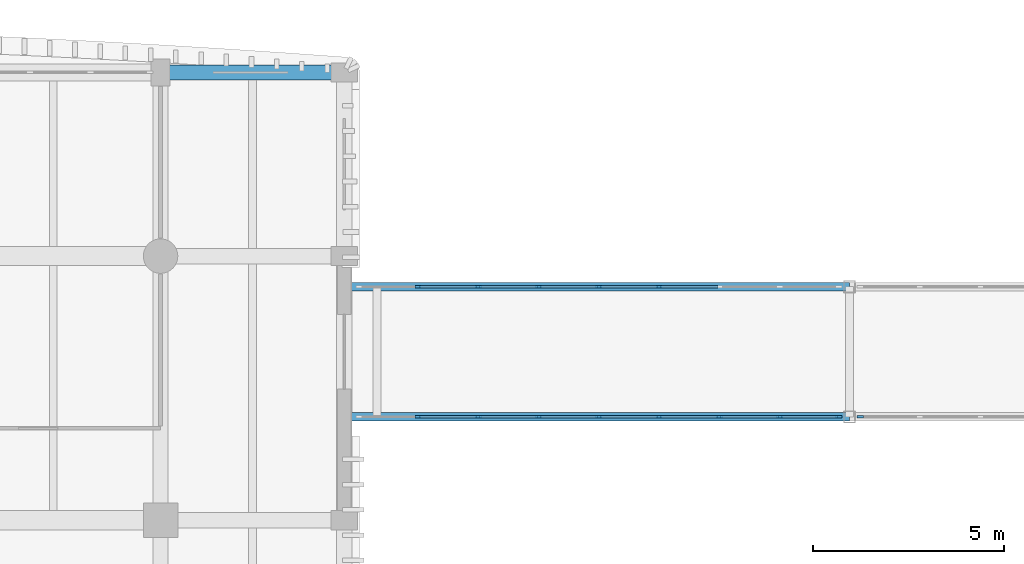
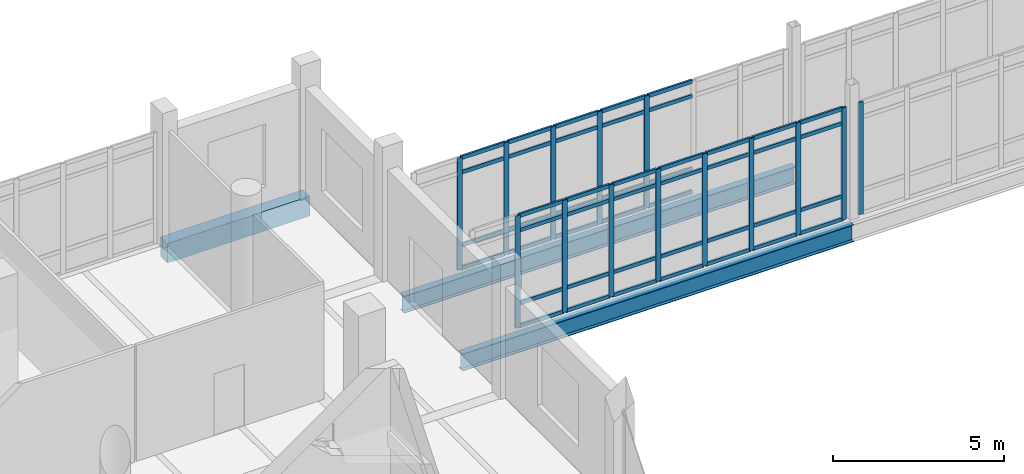
# One storey, part 35 of 125: 62 members, 3 beams, 3 elements without a shape of their own.
"""IFC4 building model written with IfcOpenShell, lengths in metres."""

from ifc_helpers import new_model, si_unit, direction, frame, origin, origin_2d, place, context, subcontext, project, spatial, rectangle, i_section, extrude, material, material_profile, profile_set, type_object, element, aggregate, save


model = new_model("IFC4")

# Units and contexts
model_context = context("Model", 3, precision=1e-05, world=origin(), true_north=direction((0.0, 1.0)))
body_context = subcontext(model_context, "Body", "Model", "MODEL_VIEW")
ifc_project = project(units=[si_unit("LENGTHUNIT", "METRE"), si_unit("AREAUNIT", "SQUARE_METRE"), si_unit("VOLUMEUNIT", "CUBIC_METRE"), si_unit("PLANEANGLEUNIT", "RADIAN"), si_unit("MASSUNIT", "GRAM", prefix="KILO")], contexts=[model_context])

# Site, building, storey
site_placement = place(None, origin())
site = spatial("IfcSite", under=ifc_project, at=site_placement, CompositionType="ELEMENT")
building_placement = place(site_placement, origin())
building = spatial("IfcBuilding", under=site, at=building_placement, Name="Dornvale Research Institute", CompositionType="ELEMENT")
storey_placement = place(building_placement, frame((0.0, 0.0, 5.39990234375)))
storey = spatial("IfcBuildingStorey", under=building, at=storey_placement, Name="L01", CompositionType="ELEMENT", Elevation=5.39990234375)

# Beams
ifc_material_1 = material(Name="Steel ASTM A992 Grade 50", Category="steel")
ifc_material_profile_1 = material_profile(ifc_material_1, i_section(OverallWidth=0.22900390625, OverallDepth=0.612060546875, WebThickness=0.011962890625, FlangeThickness=0.01953125, at=origin_2d()), Name="W24X84")
ifc_profile_set_1 = profile_set([ifc_material_profile_1], Name="Steel ASTM A992 Grade 50")
beam_type_1 = type_object("IfcBeamType", Name="Beam_Steel_W24X84_Bridge", PredefinedType="BEAM", material=ifc_profile_set_1)
for number, where, z_axis, x_axis, name in (
    (1, (46.199951171875, 113.10009765625, -0.52587890625), (1.0, 0.0, 0.0), (0.0, 1.0, 0.0), "L01 BR-5 south girder #2026"),
    (2, (46.199951171875, 116.5, -0.52587890625), (1.0, 0.0, 0.0), (0.0, 1.0, 0.0), "L01 BR-5 north girder #2026"),
):
    element("IfcBeam", number, at=place(storey_placement, frame(where, z_axis=z_axis, x_axis=x_axis)), inside=storey, type_object=beam_type_1, Name=name, PredefinedType="BEAM", context=body_context, shape_type="SweptSolid", body=[
        extrude(i_section(OverallWidth=0.22900390625, OverallDepth=0.612060546875, WebThickness=0.011962890625, FlangeThickness=0.01953125, at=origin_2d()), origin(), (0.0, 0.0, 1.0), 13.199951171875),
    ])

# Curtain wall, members
ifc_material_2 = material(Name="Low-E Argon Double Insulating Glazing Unit", Category="glass")
curtain_wall_type_1 = type_object("IfcCurtainWallType", Name="UnitisedCurtainWall_V2_12600x4000", PredefinedType="USERDEFINED", material=ifc_material_2)
curtain_wall_1_placement = place(storey_placement, origin())
curtain_wall_1 = element("IfcCurtainWall", 3, at=curtain_wall_1_placement, inside=storey, type_object=curtain_wall_type_1, Name="L01 V2 unitised curtain wall CW-41 #211", ObjectType="UNITISED CURTAIN WALL", PredefinedType="USERDEFINED")
ifc_material_3 = material(Name="Anodized Aluminum AA 6063-T6 Thermally Broken Frame", Category="aluminium")
ifc_material_profile_2 = material_profile(ifc_material_3, rectangle(XDim=0.06494140625, YDim=0.1650390625, at=origin_2d()), Name="ALU MULLION 65x165")
ifc_profile_set_2 = profile_set([ifc_material_profile_2], Name="Anodized Aluminum AA 6063-T6 Thermally Broken Frame")
member_type_1 = type_object("IfcMemberType", Name="Mullion_Atrium_65x165", PredefinedType="MULLION", material=ifc_profile_set_2)
member_1_placement = place(storey_placement, frame((48.125, 116.5, 0.0), z_axis=(0.0, 0.0, 1.0), x_axis=(0.0, 1.0, 0.0)))
member_1 = element("IfcMember", 4, at=member_1_placement, type_object=member_type_1, Name="CW-41 mullion 2", PredefinedType="MULLION", context=body_context, shape_type="SweptSolid", body=[
    extrude(rectangle(XDim=0.06494140625, YDim=0.1650390625, at=origin_2d()), origin(), (0.0, 0.0, 1.0), 4.0),
])
member_2_placement = place(storey_placement, frame((49.699951171875, 116.5, 0.0), z_axis=(0.0, 0.0, 1.0), x_axis=(0.0, 1.0, 0.0)))
member_2 = element("IfcMember", 5, at=member_2_placement, type_object=member_type_1, Name="CW-41 mullion 3", PredefinedType="MULLION", context=body_context, shape_type="SweptSolid", body=[
    extrude(rectangle(XDim=0.06494140625, YDim=0.1650390625, at=origin_2d()), origin(), (0.0, 0.0, 1.0), 4.0),
])
member_3_placement = place(storey_placement, frame((51.27490234375, 116.5, 0.0), z_axis=(0.0, 0.0, 1.0), x_axis=(0.0, 1.0, 0.0)))
member_3 = element("IfcMember", 6, at=member_3_placement, type_object=member_type_1, Name="CW-41 mullion 4", PredefinedType="MULLION", context=body_context, shape_type="SweptSolid", body=[
    extrude(rectangle(XDim=0.06494140625, YDim=0.1650390625, at=origin_2d()), origin(), (0.0, 0.0, 1.0), 4.0),
])
member_4_placement = place(storey_placement, frame((52.85009765625, 116.5, 0.0), z_axis=(0.0, 0.0, 1.0), x_axis=(0.0, 1.0, 0.0)))
member_4 = element("IfcMember", 7, at=member_4_placement, type_object=member_type_1, Name="CW-41 mullion 5", PredefinedType="MULLION", context=body_context, shape_type="SweptSolid", body=[
    extrude(rectangle(XDim=0.06494140625, YDim=0.1650390625, at=origin_2d()), origin(), (0.0, 0.0, 1.0), 4.0),
])
member_5_placement = place(storey_placement, frame((54.425048828125, 116.5, 0.0), z_axis=(0.0, 0.0, 1.0), x_axis=(0.0, 1.0, 0.0)))
member_5 = element("IfcMember", 8, at=member_5_placement, type_object=member_type_1, Name="CW-41 mullion 6", PredefinedType="MULLION", context=body_context, shape_type="SweptSolid", body=[
    extrude(rectangle(XDim=0.06494140625, YDim=0.1650390625, at=origin_2d()), origin(), (0.0, 0.0, 1.0), 4.0),
])

curtain_wall_2_placement = place(storey_placement, origin())
curtain_wall_2 = element("IfcCurtainWall", 9, at=curtain_wall_2_placement, inside=storey, type_object=curtain_wall_type_1, Name="L01 V2 unitised curtain wall CW-41 #212", ObjectType="UNITISED CURTAIN WALL", PredefinedType="USERDEFINED")
member_6_placement = place(storey_placement, frame((59.117431640625, 113.10009765625, 0.0), z_axis=(0.0, 0.0, 1.0), x_axis=(0.0, -1.0, 0.0)))
member_6 = element("IfcMember", 10, at=member_6_placement, type_object=member_type_1, Name="CW-41 mullion 1", PredefinedType="MULLION", context=body_context, shape_type="SweptSolid", body=[
    extrude(rectangle(XDim=0.06494140625, YDim=0.1650390625, at=origin_2d()), origin(), (0.0, 0.0, 1.0), 4.0),
])
member_7_placement = place(storey_placement, frame((57.574951171875, 113.10009765625, 0.0), z_axis=(0.0, 0.0, 1.0), x_axis=(0.0, -1.0, 0.0)))
member_7 = element("IfcMember", 11, at=member_7_placement, type_object=member_type_1, Name="CW-41 mullion 2", PredefinedType="MULLION", context=body_context, shape_type="SweptSolid", body=[
    extrude(rectangle(XDim=0.06494140625, YDim=0.1650390625, at=origin_2d()), origin(), (0.0, 0.0, 1.0), 4.0),
])
member_8_placement = place(storey_placement, frame((56.0, 113.10009765625, 0.0), z_axis=(0.0, 0.0, 1.0), x_axis=(0.0, -1.0, 0.0)))
member_8 = element("IfcMember", 12, at=member_8_placement, type_object=member_type_1, Name="CW-41 mullion 3", PredefinedType="MULLION", context=body_context, shape_type="SweptSolid", body=[
    extrude(rectangle(XDim=0.06494140625, YDim=0.1650390625, at=origin_2d()), origin(), (0.0, 0.0, 1.0), 4.0),
])
member_9_placement = place(storey_placement, frame((54.425048828125, 113.10009765625, 0.0), z_axis=(0.0, 0.0, 1.0), x_axis=(0.0, -1.0, 0.0)))
member_9 = element("IfcMember", 13, at=member_9_placement, type_object=member_type_1, Name="CW-41 mullion 4", PredefinedType="MULLION", context=body_context, shape_type="SweptSolid", body=[
    extrude(rectangle(XDim=0.06494140625, YDim=0.1650390625, at=origin_2d()), origin(), (0.0, 0.0, 1.0), 4.0),
])
member_10_placement = place(storey_placement, frame((52.85009765625, 113.10009765625, 0.0), z_axis=(0.0, 0.0, 1.0), x_axis=(0.0, -1.0, 0.0)))
member_10 = element("IfcMember", 14, at=member_10_placement, type_object=member_type_1, Name="CW-41 mullion 5", PredefinedType="MULLION", context=body_context, shape_type="SweptSolid", body=[
    extrude(rectangle(XDim=0.06494140625, YDim=0.1650390625, at=origin_2d()), origin(), (0.0, 0.0, 1.0), 4.0),
])
member_11_placement = place(storey_placement, frame((51.27490234375, 113.10009765625, 0.0), z_axis=(0.0, 0.0, 1.0), x_axis=(0.0, -1.0, 0.0)))
member_11 = element("IfcMember", 15, at=member_11_placement, type_object=member_type_1, Name="CW-41 mullion 6", PredefinedType="MULLION", context=body_context, shape_type="SweptSolid", body=[
    extrude(rectangle(XDim=0.06494140625, YDim=0.1650390625, at=origin_2d()), origin(), (0.0, 0.0, 1.0), 4.0),
])
member_12_placement = place(storey_placement, frame((49.699951171875, 113.10009765625, 0.0), z_axis=(0.0, 0.0, 1.0), x_axis=(0.0, -1.0, 0.0)))
member_12 = element("IfcMember", 16, at=member_12_placement, type_object=member_type_1, Name="CW-41 mullion 7", PredefinedType="MULLION", context=body_context, shape_type="SweptSolid", body=[
    extrude(rectangle(XDim=0.06494140625, YDim=0.1650390625, at=origin_2d()), origin(), (0.0, 0.0, 1.0), 4.0),
])
member_13_placement = place(storey_placement, frame((48.125, 113.10009765625, 0.0), z_axis=(0.0, 0.0, 1.0), x_axis=(0.0, -1.0, 0.0)))
member_13 = element("IfcMember", 17, at=member_13_placement, type_object=member_type_1, Name="CW-41 mullion 8", PredefinedType="MULLION", context=body_context, shape_type="SweptSolid", body=[
    extrude(rectangle(XDim=0.06494140625, YDim=0.1650390625, at=origin_2d()), origin(), (0.0, 0.0, 1.0), 4.0),
])

# Curtain wall, member
ifc_material_4 = material(Name="Low-E Argon Double Insulating Glazing Unit", Category="glass")
curtain_wall_type_2 = type_object("IfcCurtainWallType", Name="UnitisedCurtainWall_V2_12700x4000", PredefinedType="USERDEFINED", material=ifc_material_4)
curtain_wall_3_placement = place(storey_placement, origin())
curtain_wall_3 = element("IfcCurtainWall", 18, at=curtain_wall_3_placement, inside=storey, type_object=curtain_wall_type_2, Name="L01 V2 unitised curtain wall CW-42 #214", ObjectType="UNITISED CURTAIN WALL", PredefinedType="USERDEFINED")
member_14_placement = place(storey_placement, frame((59.6826171875, 113.10009765625, 0.0), z_axis=(0.0, 0.0, 1.0), x_axis=(0.0, -1.0, 0.0)))
member_14 = element("IfcMember", 19, at=member_14_placement, type_object=member_type_1, Name="CW-42 mullion 9", PredefinedType="MULLION", context=body_context, shape_type="SweptSolid", body=[
    extrude(rectangle(XDim=0.06494140625, YDim=0.1650390625, at=origin_2d()), origin(), (0.0, 0.0, 1.0), 4.0),
])
aggregate(curtain_wall_3, [member_14])

# Beam
ifc_material_5 = material(Name="Concrete f'c 45 MPa (C35/45)", Category="concrete")
ifc_material_profile_3 = material_profile(ifc_material_5, rectangle(XDim=0.39990234375, YDim=0.699951171875, at=origin_2d()), Name="RC 400x700")
ifc_profile_set_3 = profile_set([ifc_material_profile_3], Name="Concrete f'c 45 MPa (C35/45)")
beam_type_2 = type_object("IfcBeamType", Name="Spandrel_RC400x700_Ext", PredefinedType="SPANDREL", material=ifc_profile_set_3)
beam_placement = place(storey_placement, frame((41.39990234375, 122.10009765625, -0.349853515625), z_axis=(1.0, 0.0, 0.0), x_axis=(0.0, 1.0, 0.0)))
element("IfcBeam", 20, at=beam_placement, inside=storey, type_object=beam_type_2, Name="L01 perimeter spandrel #321", PredefinedType="SPANDREL", context=body_context, shape_type="SweptSolid", body=[
    extrude(rectangle(XDim=0.39990234375, YDim=0.699951171875, at=origin_2d()), origin(), (0.0, 0.0, 1.0), 4.800048828125),
])

# Member
ifc_material_6 = material(Name="Anodized Aluminum AA 6063-T6 Thermally Broken Frame", Category="aluminium")
ifc_material_profile_4 = material_profile(ifc_material_6, rectangle(XDim=0.06494140625, YDim=0.135009765625, at=origin_2d()), Name="ALU TRANSOM 65x135")
ifc_profile_set_4 = profile_set([ifc_material_profile_4], Name="Anodized Aluminum AA 6063-T6 Thermally Broken Frame")
member_type_2 = type_object("IfcMemberType", Name="Transom_CW_65x135", PredefinedType="USERDEFINED", material=ifc_profile_set_4)
member_15_placement = place(storey_placement, frame((48.157470703125, 116.5, 0.03271484375), z_axis=(1.0, 0.0, 0.0), x_axis=(0.0, 1.0, 0.0)))
member_15 = element("IfcMember", 21, at=member_15_placement, type_object=member_type_2, Name="CW-41 transom 2.1", ObjectType="TRANSOM", PredefinedType="USERDEFINED", context=body_context, shape_type="SweptSolid", body=[
    extrude(rectangle(XDim=0.06494140625, YDim=0.135009765625, at=origin_2d()), origin(), (0.0, 0.0, 1.0), 1.510009765625),
])

member_16_placement = place(storey_placement, frame((48.157470703125, 116.5, 0.85009765625), z_axis=(1.0, 0.0, 0.0), x_axis=(0.0, 1.0, 0.0)))
member_16 = element("IfcMember", 22, at=member_16_placement, type_object=member_type_2, Name="CW-41 transom 2.2", ObjectType="TRANSOM", PredefinedType="USERDEFINED", context=body_context, shape_type="SweptSolid", body=[
    extrude(rectangle(XDim=0.06494140625, YDim=0.135009765625, at=origin_2d()), origin(), (0.0, 0.0, 1.0), 1.510009765625),
])

member_17_placement = place(storey_placement, frame((48.157470703125, 116.5, 3.4501953125), z_axis=(1.0, 0.0, 0.0), x_axis=(0.0, 1.0, 0.0)))
member_17 = element("IfcMember", 23, at=member_17_placement, type_object=member_type_2, Name="CW-41 transom 2.3", ObjectType="TRANSOM", PredefinedType="USERDEFINED", context=body_context, shape_type="SweptSolid", body=[
    extrude(rectangle(XDim=0.06494140625, YDim=0.135009765625, at=origin_2d()), origin(), (0.0, 0.0, 1.0), 1.510009765625),
])

member_18_placement = place(storey_placement, frame((48.157470703125, 116.5, 3.967529296875), z_axis=(1.0, 0.0, 0.0), x_axis=(0.0, 1.0, 0.0)))
member_18 = element("IfcMember", 24, at=member_18_placement, type_object=member_type_2, Name="CW-41 transom 2.4", ObjectType="TRANSOM", PredefinedType="USERDEFINED", context=body_context, shape_type="SweptSolid", body=[
    extrude(rectangle(XDim=0.06494140625, YDim=0.135009765625, at=origin_2d()), origin(), (0.0, 0.0, 1.0), 1.510009765625),
])

member_19_placement = place(storey_placement, frame((49.732421875, 116.5, 0.03271484375), z_axis=(1.0, 0.0, 0.0), x_axis=(0.0, 1.0, 0.0)))
member_19 = element("IfcMember", 25, at=member_19_placement, type_object=member_type_2, Name="CW-41 transom 3.1", ObjectType="TRANSOM", PredefinedType="USERDEFINED", context=body_context, shape_type="SweptSolid", body=[
    extrude(rectangle(XDim=0.06494140625, YDim=0.135009765625, at=origin_2d()), origin(), (0.0, 0.0, 1.0), 1.510009765625),
])

member_20_placement = place(storey_placement, frame((49.732421875, 116.5, 0.85009765625), z_axis=(1.0, 0.0, 0.0), x_axis=(0.0, 1.0, 0.0)))
member_20 = element("IfcMember", 26, at=member_20_placement, type_object=member_type_2, Name="CW-41 transom 3.2", ObjectType="TRANSOM", PredefinedType="USERDEFINED", context=body_context, shape_type="SweptSolid", body=[
    extrude(rectangle(XDim=0.06494140625, YDim=0.135009765625, at=origin_2d()), origin(), (0.0, 0.0, 1.0), 1.510009765625),
])

member_21_placement = place(storey_placement, frame((49.732421875, 116.5, 3.4501953125), z_axis=(1.0, 0.0, 0.0), x_axis=(0.0, 1.0, 0.0)))
member_21 = element("IfcMember", 27, at=member_21_placement, type_object=member_type_2, Name="CW-41 transom 3.3", ObjectType="TRANSOM", PredefinedType="USERDEFINED", context=body_context, shape_type="SweptSolid", body=[
    extrude(rectangle(XDim=0.06494140625, YDim=0.135009765625, at=origin_2d()), origin(), (0.0, 0.0, 1.0), 1.510009765625),
])

member_22_placement = place(storey_placement, frame((49.732421875, 116.5, 3.967529296875), z_axis=(1.0, 0.0, 0.0), x_axis=(0.0, 1.0, 0.0)))
member_22 = element("IfcMember", 28, at=member_22_placement, type_object=member_type_2, Name="CW-41 transom 3.4", ObjectType="TRANSOM", PredefinedType="USERDEFINED", context=body_context, shape_type="SweptSolid", body=[
    extrude(rectangle(XDim=0.06494140625, YDim=0.135009765625, at=origin_2d()), origin(), (0.0, 0.0, 1.0), 1.510009765625),
])

member_23_placement = place(storey_placement, frame((51.3076171875, 116.5, 0.03271484375), z_axis=(1.0, 0.0, 0.0), x_axis=(0.0, 1.0, 0.0)))
member_23 = element("IfcMember", 29, at=member_23_placement, type_object=member_type_2, Name="CW-41 transom 4.1", ObjectType="TRANSOM", PredefinedType="USERDEFINED", context=body_context, shape_type="SweptSolid", body=[
    extrude(rectangle(XDim=0.06494140625, YDim=0.135009765625, at=origin_2d()), origin(), (0.0, 0.0, 1.0), 1.509765625),
])

member_24_placement = place(storey_placement, frame((51.3076171875, 116.5, 0.85009765625), z_axis=(1.0, 0.0, 0.0), x_axis=(0.0, 1.0, 0.0)))
member_24 = element("IfcMember", 30, at=member_24_placement, type_object=member_type_2, Name="CW-41 transom 4.2", ObjectType="TRANSOM", PredefinedType="USERDEFINED", context=body_context, shape_type="SweptSolid", body=[
    extrude(rectangle(XDim=0.06494140625, YDim=0.135009765625, at=origin_2d()), origin(), (0.0, 0.0, 1.0), 1.509765625),
])

member_25_placement = place(storey_placement, frame((51.3076171875, 116.5, 3.4501953125), z_axis=(1.0, 0.0, 0.0), x_axis=(0.0, 1.0, 0.0)))
member_25 = element("IfcMember", 31, at=member_25_placement, type_object=member_type_2, Name="CW-41 transom 4.3", ObjectType="TRANSOM", PredefinedType="USERDEFINED", context=body_context, shape_type="SweptSolid", body=[
    extrude(rectangle(XDim=0.06494140625, YDim=0.135009765625, at=origin_2d()), origin(), (0.0, 0.0, 1.0), 1.509765625),
])

member_26_placement = place(storey_placement, frame((51.3076171875, 116.5, 3.967529296875), z_axis=(1.0, 0.0, 0.0), x_axis=(0.0, 1.0, 0.0)))
member_26 = element("IfcMember", 32, at=member_26_placement, type_object=member_type_2, Name="CW-41 transom 4.4", ObjectType="TRANSOM", PredefinedType="USERDEFINED", context=body_context, shape_type="SweptSolid", body=[
    extrude(rectangle(XDim=0.06494140625, YDim=0.135009765625, at=origin_2d()), origin(), (0.0, 0.0, 1.0), 1.509765625),
])

member_27_placement = place(storey_placement, frame((52.882568359375, 116.5, 0.03271484375), z_axis=(1.0, 0.0, 0.0), x_axis=(0.0, 1.0, 0.0)))
member_27 = element("IfcMember", 33, at=member_27_placement, type_object=member_type_2, Name="CW-41 transom 5.1", ObjectType="TRANSOM", PredefinedType="USERDEFINED", context=body_context, shape_type="SweptSolid", body=[
    extrude(rectangle(XDim=0.06494140625, YDim=0.135009765625, at=origin_2d()), origin(), (0.0, 0.0, 1.0), 1.510009765625),
])

member_28_placement = place(storey_placement, frame((52.882568359375, 116.5, 0.85009765625), z_axis=(1.0, 0.0, 0.0), x_axis=(0.0, 1.0, 0.0)))
member_28 = element("IfcMember", 34, at=member_28_placement, type_object=member_type_2, Name="CW-41 transom 5.2", ObjectType="TRANSOM", PredefinedType="USERDEFINED", context=body_context, shape_type="SweptSolid", body=[
    extrude(rectangle(XDim=0.06494140625, YDim=0.135009765625, at=origin_2d()), origin(), (0.0, 0.0, 1.0), 1.510009765625),
])

member_29_placement = place(storey_placement, frame((52.882568359375, 116.5, 3.4501953125), z_axis=(1.0, 0.0, 0.0), x_axis=(0.0, 1.0, 0.0)))
member_29 = element("IfcMember", 35, at=member_29_placement, type_object=member_type_2, Name="CW-41 transom 5.3", ObjectType="TRANSOM", PredefinedType="USERDEFINED", context=body_context, shape_type="SweptSolid", body=[
    extrude(rectangle(XDim=0.06494140625, YDim=0.135009765625, at=origin_2d()), origin(), (0.0, 0.0, 1.0), 1.510009765625),
])

member_30_placement = place(storey_placement, frame((52.882568359375, 116.5, 3.967529296875), z_axis=(1.0, 0.0, 0.0), x_axis=(0.0, 1.0, 0.0)))
member_30 = element("IfcMember", 36, at=member_30_placement, type_object=member_type_2, Name="CW-41 transom 5.4", ObjectType="TRANSOM", PredefinedType="USERDEFINED", context=body_context, shape_type="SweptSolid", body=[
    extrude(rectangle(XDim=0.06494140625, YDim=0.135009765625, at=origin_2d()), origin(), (0.0, 0.0, 1.0), 1.510009765625),
])

member_31_placement = place(storey_placement, frame((54.45751953125, 116.5, 0.03271484375), z_axis=(1.0, 0.0, 0.0), x_axis=(0.0, 1.0, 0.0)))
member_31 = element("IfcMember", 37, at=member_31_placement, type_object=member_type_2, Name="CW-41 transom 6.1", ObjectType="TRANSOM", PredefinedType="USERDEFINED", context=body_context, shape_type="SweptSolid", body=[
    extrude(rectangle(XDim=0.06494140625, YDim=0.135009765625, at=origin_2d()), origin(), (0.0, 0.0, 1.0), 1.510009765625),
])

member_32_placement = place(storey_placement, frame((54.45751953125, 116.5, 0.85009765625), z_axis=(1.0, 0.0, 0.0), x_axis=(0.0, 1.0, 0.0)))
member_32 = element("IfcMember", 38, at=member_32_placement, type_object=member_type_2, Name="CW-41 transom 6.2", ObjectType="TRANSOM", PredefinedType="USERDEFINED", context=body_context, shape_type="SweptSolid", body=[
    extrude(rectangle(XDim=0.06494140625, YDim=0.135009765625, at=origin_2d()), origin(), (0.0, 0.0, 1.0), 1.510009765625),
])

member_33_placement = place(storey_placement, frame((54.45751953125, 116.5, 3.4501953125), z_axis=(1.0, 0.0, 0.0), x_axis=(0.0, 1.0, 0.0)))
member_33 = element("IfcMember", 39, at=member_33_placement, type_object=member_type_2, Name="CW-41 transom 6.3", ObjectType="TRANSOM", PredefinedType="USERDEFINED", context=body_context, shape_type="SweptSolid", body=[
    extrude(rectangle(XDim=0.06494140625, YDim=0.135009765625, at=origin_2d()), origin(), (0.0, 0.0, 1.0), 1.510009765625),
])

member_34_placement = place(storey_placement, frame((54.45751953125, 116.5, 3.967529296875), z_axis=(1.0, 0.0, 0.0), x_axis=(0.0, 1.0, 0.0)))
member_34 = element("IfcMember", 40, at=member_34_placement, type_object=member_type_2, Name="CW-41 transom 6.4", ObjectType="TRANSOM", PredefinedType="USERDEFINED", context=body_context, shape_type="SweptSolid", body=[
    extrude(rectangle(XDim=0.06494140625, YDim=0.135009765625, at=origin_2d()), origin(), (0.0, 0.0, 1.0), 1.510009765625),
])

aggregate(curtain_wall_1, [member_1, member_2, member_3, member_4, member_5, member_15, member_16, member_17, member_18, member_19, member_20, member_21, member_22, member_23, member_24, member_25, member_26, member_27, member_28, member_29, member_30, member_31, member_32, member_33, member_34])

member_35_placement = place(storey_placement, frame((59.0849609375, 113.10009765625, 0.03271484375), z_axis=(-1.0, 0.0, 0.0), x_axis=(0.0, -1.0, 0.0)))
member_35 = element("IfcMember", 41, at=member_35_placement, type_object=member_type_2, Name="CW-41 transom 1.1", ObjectType="TRANSOM", PredefinedType="USERDEFINED", context=body_context, shape_type="SweptSolid", body=[
    extrude(rectangle(XDim=0.06494140625, YDim=0.135009765625, at=origin_2d()), origin(), (0.0, 0.0, 1.0), 1.4775390625),
])

member_36_placement = place(storey_placement, frame((59.0849609375, 113.10009765625, 0.85009765625), z_axis=(-1.0, 0.0, 0.0), x_axis=(0.0, -1.0, 0.0)))
member_36 = element("IfcMember", 42, at=member_36_placement, type_object=member_type_2, Name="CW-41 transom 1.2", ObjectType="TRANSOM", PredefinedType="USERDEFINED", context=body_context, shape_type="SweptSolid", body=[
    extrude(rectangle(XDim=0.06494140625, YDim=0.135009765625, at=origin_2d()), origin(), (0.0, 0.0, 1.0), 1.4775390625),
])

member_37_placement = place(storey_placement, frame((59.0849609375, 113.10009765625, 3.4501953125), z_axis=(-1.0, 0.0, 0.0), x_axis=(0.0, -1.0, 0.0)))
member_37 = element("IfcMember", 43, at=member_37_placement, type_object=member_type_2, Name="CW-41 transom 1.3", ObjectType="TRANSOM", PredefinedType="USERDEFINED", context=body_context, shape_type="SweptSolid", body=[
    extrude(rectangle(XDim=0.06494140625, YDim=0.135009765625, at=origin_2d()), origin(), (0.0, 0.0, 1.0), 1.4775390625),
])

member_38_placement = place(storey_placement, frame((59.0849609375, 113.10009765625, 3.967529296875), z_axis=(-1.0, 0.0, 0.0), x_axis=(0.0, -1.0, 0.0)))
member_38 = element("IfcMember", 44, at=member_38_placement, type_object=member_type_2, Name="CW-41 transom 1.4", ObjectType="TRANSOM", PredefinedType="USERDEFINED", context=body_context, shape_type="SweptSolid", body=[
    extrude(rectangle(XDim=0.06494140625, YDim=0.135009765625, at=origin_2d()), origin(), (0.0, 0.0, 1.0), 1.4775390625),
])

member_39_placement = place(storey_placement, frame((57.54248046875, 113.10009765625, 0.03271484375), z_axis=(-1.0, 0.0, 0.0), x_axis=(0.0, -1.0, 0.0)))
member_39 = element("IfcMember", 45, at=member_39_placement, type_object=member_type_2, Name="CW-41 transom 2.1", ObjectType="TRANSOM", PredefinedType="USERDEFINED", context=body_context, shape_type="SweptSolid", body=[
    extrude(rectangle(XDim=0.06494140625, YDim=0.135009765625, at=origin_2d()), origin(), (0.0, 0.0, 1.0), 1.510009765625),
])

member_40_placement = place(storey_placement, frame((57.54248046875, 113.10009765625, 0.85009765625), z_axis=(-1.0, 0.0, 0.0), x_axis=(0.0, -1.0, 0.0)))
member_40 = element("IfcMember", 46, at=member_40_placement, type_object=member_type_2, Name="CW-41 transom 2.2", ObjectType="TRANSOM", PredefinedType="USERDEFINED", context=body_context, shape_type="SweptSolid", body=[
    extrude(rectangle(XDim=0.06494140625, YDim=0.135009765625, at=origin_2d()), origin(), (0.0, 0.0, 1.0), 1.510009765625),
])

member_41_placement = place(storey_placement, frame((57.54248046875, 113.10009765625, 3.4501953125), z_axis=(-1.0, 0.0, 0.0), x_axis=(0.0, -1.0, 0.0)))
member_41 = element("IfcMember", 47, at=member_41_placement, type_object=member_type_2, Name="CW-41 transom 2.3", ObjectType="TRANSOM", PredefinedType="USERDEFINED", context=body_context, shape_type="SweptSolid", body=[
    extrude(rectangle(XDim=0.06494140625, YDim=0.135009765625, at=origin_2d()), origin(), (0.0, 0.0, 1.0), 1.510009765625),
])

member_42_placement = place(storey_placement, frame((57.54248046875, 113.10009765625, 3.967529296875), z_axis=(-1.0, 0.0, 0.0), x_axis=(0.0, -1.0, 0.0)))
member_42 = element("IfcMember", 48, at=member_42_placement, type_object=member_type_2, Name="CW-41 transom 2.4", ObjectType="TRANSOM", PredefinedType="USERDEFINED", context=body_context, shape_type="SweptSolid", body=[
    extrude(rectangle(XDim=0.06494140625, YDim=0.135009765625, at=origin_2d()), origin(), (0.0, 0.0, 1.0), 1.510009765625),
])

member_43_placement = place(storey_placement, frame((55.967529296875, 113.10009765625, 0.03271484375), z_axis=(-1.0, 0.0, 0.0), x_axis=(0.0, -1.0, 0.0)))
member_43 = element("IfcMember", 49, at=member_43_placement, type_object=member_type_2, Name="CW-41 transom 3.1", ObjectType="TRANSOM", PredefinedType="USERDEFINED", context=body_context, shape_type="SweptSolid", body=[
    extrude(rectangle(XDim=0.06494140625, YDim=0.135009765625, at=origin_2d()), origin(), (0.0, 0.0, 1.0), 1.510009765625),
])

member_44_placement = place(storey_placement, frame((55.967529296875, 113.10009765625, 0.85009765625), z_axis=(-1.0, 0.0, 0.0), x_axis=(0.0, -1.0, 0.0)))
member_44 = element("IfcMember", 50, at=member_44_placement, type_object=member_type_2, Name="CW-41 transom 3.2", ObjectType="TRANSOM", PredefinedType="USERDEFINED", context=body_context, shape_type="SweptSolid", body=[
    extrude(rectangle(XDim=0.06494140625, YDim=0.135009765625, at=origin_2d()), origin(), (0.0, 0.0, 1.0), 1.510009765625),
])

member_45_placement = place(storey_placement, frame((55.967529296875, 113.10009765625, 3.4501953125), z_axis=(-1.0, 0.0, 0.0), x_axis=(0.0, -1.0, 0.0)))
member_45 = element("IfcMember", 51, at=member_45_placement, type_object=member_type_2, Name="CW-41 transom 3.3", ObjectType="TRANSOM", PredefinedType="USERDEFINED", context=body_context, shape_type="SweptSolid", body=[
    extrude(rectangle(XDim=0.06494140625, YDim=0.135009765625, at=origin_2d()), origin(), (0.0, 0.0, 1.0), 1.510009765625),
])

member_46_placement = place(storey_placement, frame((55.967529296875, 113.10009765625, 3.967529296875), z_axis=(-1.0, 0.0, 0.0), x_axis=(0.0, -1.0, 0.0)))
member_46 = element("IfcMember", 52, at=member_46_placement, type_object=member_type_2, Name="CW-41 transom 3.4", ObjectType="TRANSOM", PredefinedType="USERDEFINED", context=body_context, shape_type="SweptSolid", body=[
    extrude(rectangle(XDim=0.06494140625, YDim=0.135009765625, at=origin_2d()), origin(), (0.0, 0.0, 1.0), 1.510009765625),
])

member_47_placement = place(storey_placement, frame((54.392578125, 113.10009765625, 0.03271484375), z_axis=(-1.0, 0.0, 0.0), x_axis=(0.0, -1.0, 0.0)))
member_47 = element("IfcMember", 53, at=member_47_placement, type_object=member_type_2, Name="CW-41 transom 4.1", ObjectType="TRANSOM", PredefinedType="USERDEFINED", context=body_context, shape_type="SweptSolid", body=[
    extrude(rectangle(XDim=0.06494140625, YDim=0.135009765625, at=origin_2d()), origin(), (0.0, 0.0, 1.0), 1.510009765625),
])

member_48_placement = place(storey_placement, frame((54.392578125, 113.10009765625, 0.85009765625), z_axis=(-1.0, 0.0, 0.0), x_axis=(0.0, -1.0, 0.0)))
member_48 = element("IfcMember", 54, at=member_48_placement, type_object=member_type_2, Name="CW-41 transom 4.2", ObjectType="TRANSOM", PredefinedType="USERDEFINED", context=body_context, shape_type="SweptSolid", body=[
    extrude(rectangle(XDim=0.06494140625, YDim=0.135009765625, at=origin_2d()), origin(), (0.0, 0.0, 1.0), 1.510009765625),
])

member_49_placement = place(storey_placement, frame((54.392578125, 113.10009765625, 3.4501953125), z_axis=(-1.0, 0.0, 0.0), x_axis=(0.0, -1.0, 0.0)))
member_49 = element("IfcMember", 55, at=member_49_placement, type_object=member_type_2, Name="CW-41 transom 4.3", ObjectType="TRANSOM", PredefinedType="USERDEFINED", context=body_context, shape_type="SweptSolid", body=[
    extrude(rectangle(XDim=0.06494140625, YDim=0.135009765625, at=origin_2d()), origin(), (0.0, 0.0, 1.0), 1.510009765625),
])

member_50_placement = place(storey_placement, frame((54.392578125, 113.10009765625, 3.967529296875), z_axis=(-1.0, 0.0, 0.0), x_axis=(0.0, -1.0, 0.0)))
member_50 = element("IfcMember", 56, at=member_50_placement, type_object=member_type_2, Name="CW-41 transom 4.4", ObjectType="TRANSOM", PredefinedType="USERDEFINED", context=body_context, shape_type="SweptSolid", body=[
    extrude(rectangle(XDim=0.06494140625, YDim=0.135009765625, at=origin_2d()), origin(), (0.0, 0.0, 1.0), 1.510009765625),
])

member_51_placement = place(storey_placement, frame((52.8173828125, 113.10009765625, 0.03271484375), z_axis=(-1.0, 0.0, 0.0), x_axis=(0.0, -1.0, 0.0)))
member_51 = element("IfcMember", 57, at=member_51_placement, type_object=member_type_2, Name="CW-41 transom 5.1", ObjectType="TRANSOM", PredefinedType="USERDEFINED", context=body_context, shape_type="SweptSolid", body=[
    extrude(rectangle(XDim=0.06494140625, YDim=0.135009765625, at=origin_2d()), origin(), (0.0, 0.0, 1.0), 1.509765625),
])

member_52_placement = place(storey_placement, frame((52.8173828125, 113.10009765625, 0.85009765625), z_axis=(-1.0, 0.0, 0.0), x_axis=(0.0, -1.0, 0.0)))
member_52 = element("IfcMember", 58, at=member_52_placement, type_object=member_type_2, Name="CW-41 transom 5.2", ObjectType="TRANSOM", PredefinedType="USERDEFINED", context=body_context, shape_type="SweptSolid", body=[
    extrude(rectangle(XDim=0.06494140625, YDim=0.135009765625, at=origin_2d()), origin(), (0.0, 0.0, 1.0), 1.509765625),
])

member_53_placement = place(storey_placement, frame((52.8173828125, 113.10009765625, 3.4501953125), z_axis=(-1.0, 0.0, 0.0), x_axis=(0.0, -1.0, 0.0)))
member_53 = element("IfcMember", 59, at=member_53_placement, type_object=member_type_2, Name="CW-41 transom 5.3", ObjectType="TRANSOM", PredefinedType="USERDEFINED", context=body_context, shape_type="SweptSolid", body=[
    extrude(rectangle(XDim=0.06494140625, YDim=0.135009765625, at=origin_2d()), origin(), (0.0, 0.0, 1.0), 1.509765625),
])

member_54_placement = place(storey_placement, frame((52.8173828125, 113.10009765625, 3.967529296875), z_axis=(-1.0, 0.0, 0.0), x_axis=(0.0, -1.0, 0.0)))
member_54 = element("IfcMember", 60, at=member_54_placement, type_object=member_type_2, Name="CW-41 transom 5.4", ObjectType="TRANSOM", PredefinedType="USERDEFINED", context=body_context, shape_type="SweptSolid", body=[
    extrude(rectangle(XDim=0.06494140625, YDim=0.135009765625, at=origin_2d()), origin(), (0.0, 0.0, 1.0), 1.509765625),
])

member_55_placement = place(storey_placement, frame((51.242431640625, 113.10009765625, 0.03271484375), z_axis=(-1.0, 0.0, 0.0), x_axis=(0.0, -1.0, 0.0)))
member_55 = element("IfcMember", 61, at=member_55_placement, type_object=member_type_2, Name="CW-41 transom 6.1", ObjectType="TRANSOM", PredefinedType="USERDEFINED", context=body_context, shape_type="SweptSolid", body=[
    extrude(rectangle(XDim=0.06494140625, YDim=0.135009765625, at=origin_2d()), origin(), (0.0, 0.0, 1.0), 1.510009765625),
])

member_56_placement = place(storey_placement, frame((51.242431640625, 113.10009765625, 0.85009765625), z_axis=(-1.0, 0.0, 0.0), x_axis=(0.0, -1.0, 0.0)))
member_56 = element("IfcMember", 62, at=member_56_placement, type_object=member_type_2, Name="CW-41 transom 6.2", ObjectType="TRANSOM", PredefinedType="USERDEFINED", context=body_context, shape_type="SweptSolid", body=[
    extrude(rectangle(XDim=0.06494140625, YDim=0.135009765625, at=origin_2d()), origin(), (0.0, 0.0, 1.0), 1.510009765625),
])

member_57_placement = place(storey_placement, frame((51.242431640625, 113.10009765625, 3.4501953125), z_axis=(-1.0, 0.0, 0.0), x_axis=(0.0, -1.0, 0.0)))
member_57 = element("IfcMember", 63, at=member_57_placement, type_object=member_type_2, Name="CW-41 transom 6.3", ObjectType="TRANSOM", PredefinedType="USERDEFINED", context=body_context, shape_type="SweptSolid", body=[
    extrude(rectangle(XDim=0.06494140625, YDim=0.135009765625, at=origin_2d()), origin(), (0.0, 0.0, 1.0), 1.510009765625),
])

member_58_placement = place(storey_placement, frame((51.242431640625, 113.10009765625, 3.967529296875), z_axis=(-1.0, 0.0, 0.0), x_axis=(0.0, -1.0, 0.0)))
member_58 = element("IfcMember", 64, at=member_58_placement, type_object=member_type_2, Name="CW-41 transom 6.4", ObjectType="TRANSOM", PredefinedType="USERDEFINED", context=body_context, shape_type="SweptSolid", body=[
    extrude(rectangle(XDim=0.06494140625, YDim=0.135009765625, at=origin_2d()), origin(), (0.0, 0.0, 1.0), 1.510009765625),
])

member_59_placement = place(storey_placement, frame((49.66748046875, 113.10009765625, 0.03271484375), z_axis=(-1.0, 0.0, 0.0), x_axis=(0.0, -1.0, 0.0)))
member_59 = element("IfcMember", 65, at=member_59_placement, type_object=member_type_2, Name="CW-41 transom 7.1", ObjectType="TRANSOM", PredefinedType="USERDEFINED", context=body_context, shape_type="SweptSolid", body=[
    extrude(rectangle(XDim=0.06494140625, YDim=0.135009765625, at=origin_2d()), origin(), (0.0, 0.0, 1.0), 1.510009765625),
])

member_60_placement = place(storey_placement, frame((49.66748046875, 113.10009765625, 0.85009765625), z_axis=(-1.0, 0.0, 0.0), x_axis=(0.0, -1.0, 0.0)))
member_60 = element("IfcMember", 66, at=member_60_placement, type_object=member_type_2, Name="CW-41 transom 7.2", ObjectType="TRANSOM", PredefinedType="USERDEFINED", context=body_context, shape_type="SweptSolid", body=[
    extrude(rectangle(XDim=0.06494140625, YDim=0.135009765625, at=origin_2d()), origin(), (0.0, 0.0, 1.0), 1.510009765625),
])

member_61_placement = place(storey_placement, frame((49.66748046875, 113.10009765625, 3.4501953125), z_axis=(-1.0, 0.0, 0.0), x_axis=(0.0, -1.0, 0.0)))
member_61 = element("IfcMember", 67, at=member_61_placement, type_object=member_type_2, Name="CW-41 transom 7.3", ObjectType="TRANSOM", PredefinedType="USERDEFINED", context=body_context, shape_type="SweptSolid", body=[
    extrude(rectangle(XDim=0.06494140625, YDim=0.135009765625, at=origin_2d()), origin(), (0.0, 0.0, 1.0), 1.510009765625),
])

member_62_placement = place(storey_placement, frame((49.66748046875, 113.10009765625, 3.967529296875), z_axis=(-1.0, 0.0, 0.0), x_axis=(0.0, -1.0, 0.0)))
member_62 = element("IfcMember", 68, at=member_62_placement, type_object=member_type_2, Name="CW-41 transom 7.4", ObjectType="TRANSOM", PredefinedType="USERDEFINED", context=body_context, shape_type="SweptSolid", body=[
    extrude(rectangle(XDim=0.06494140625, YDim=0.135009765625, at=origin_2d()), origin(), (0.0, 0.0, 1.0), 1.510009765625),
])

aggregate(curtain_wall_2, [member_6, member_7, member_8, member_9, member_10, member_11, member_12, member_13, member_35, member_36, member_37, member_38, member_39, member_40, member_41, member_42, member_43, member_44, member_45, member_46, member_47, member_48, member_49, member_50, member_51, member_52, member_53, member_54, member_55, member_56, member_57, member_58, member_59, member_60, member_61, member_62])

save(model, "model.ifc")
